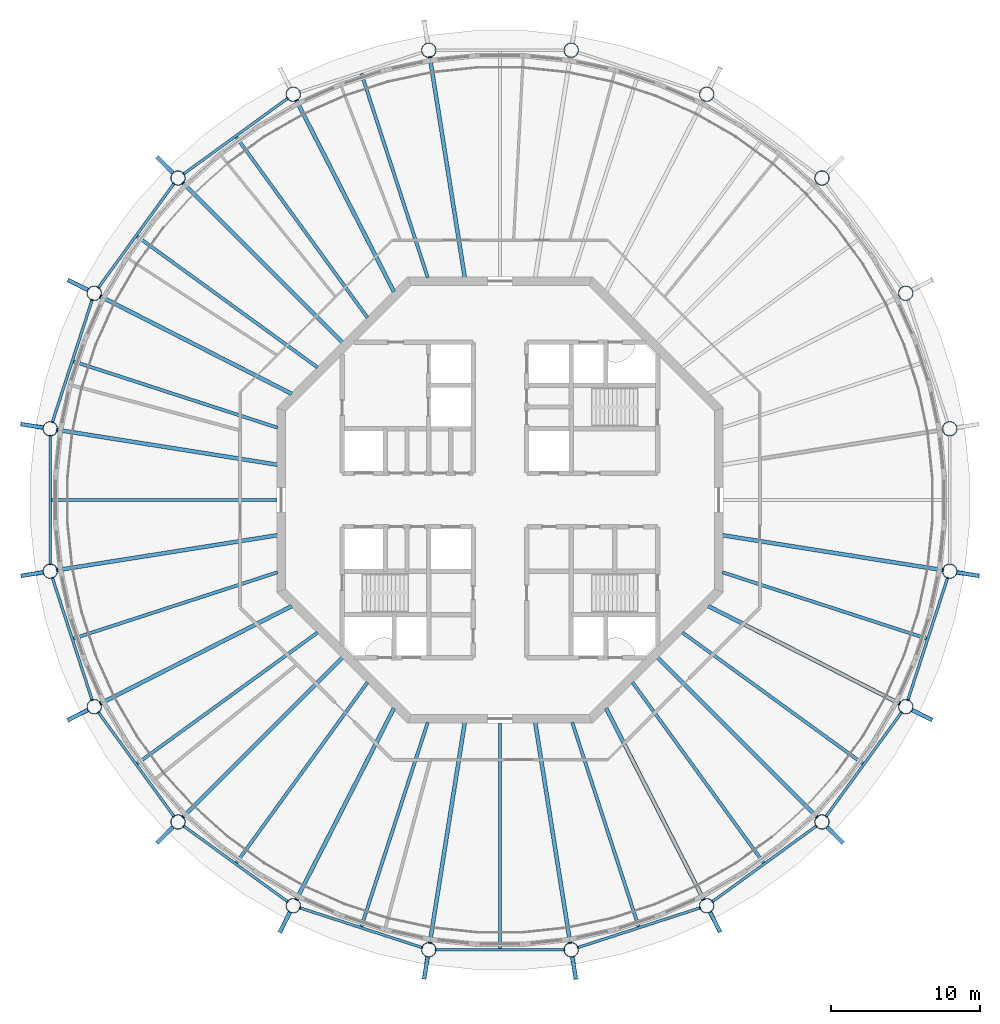
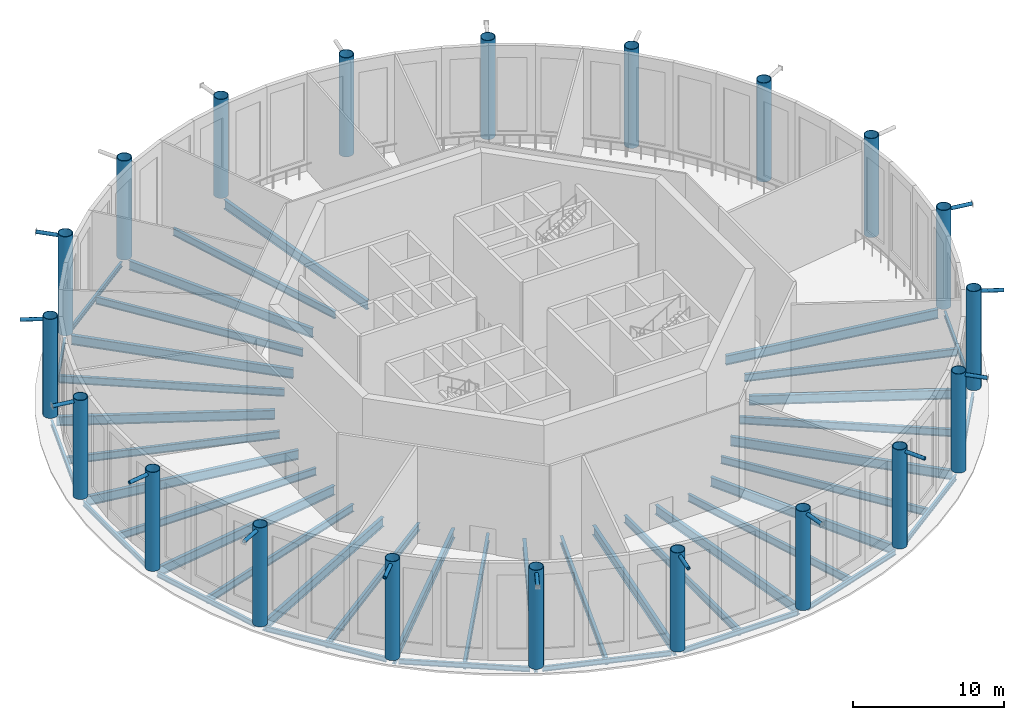
# One storey, part 1 of 17: 42 beams, 20 columns, 13 members.
"""IFC4 building model written with IfcOpenShell, lengths in metres."""

from ifc_helpers import new_model, si_unit, direction, frame, origin, origin_2d, place, context, subcontext, project, spatial, circle, hollow_circle, i_section, extrude, material, material_profile, profile_set, type_object, element, save


model = new_model("IFC4")

# Units and contexts
model_context = context("Model", 3, precision=1e-05, world=origin(), true_north=direction((0.0, 1.0)))
body_context = subcontext(model_context, "Body", "Model", "MODEL_VIEW")
ifc_project = project(units=[si_unit("LENGTHUNIT", "METRE"), si_unit("AREAUNIT", "SQUARE_METRE"), si_unit("VOLUMEUNIT", "CUBIC_METRE"), si_unit("PLANEANGLEUNIT", "RADIAN"), si_unit("MASSUNIT", "GRAM", prefix="KILO")], contexts=[model_context])

# Site, building, storey
site_placement = place(None, origin())
site = spatial("IfcSite", under=ifc_project, at=site_placement, CompositionType="ELEMENT")
building_placement = place(site_placement, origin())
building = spatial("IfcBuilding", under=site, at=building_placement, Name="Entoto Ring Tower", CompositionType="ELEMENT")
storey_placement = place(building_placement, frame((0.0, 0.0, 407.0)))
storey = spatial("IfcBuildingStorey", under=building, at=storey_placement, Name="L93", CompositionType="ELEMENT", Elevation=407.0)

# Columns
ifc_material_1 = material(Name="Steel S355", Category="steel")
ifc_material_profile_1 = material_profile(ifc_material_1, hollow_circle(Radius=0.5, WallThickness=0.044921875, at=origin_2d()), Name="CHS 1000 x 45")
ifc_material_2 = material(Name="Concrete C60/75", Category="concrete")
ifc_material_profile_2 = material_profile(ifc_material_2, circle(Radius=0.455078125, at=origin_2d()), Name="Concrete C60/75 infill")
ifc_profile_set_1 = profile_set([ifc_material_profile_1, ifc_material_profile_2], Name="Steel S355")
column_type = type_object("IfcColumnType", Name="Ring column 1000 x 45 concrete-filled tube", PredefinedType="COLUMN", material=ifc_profile_set_1)
for number, where, z_axis, x_axis, name in (
    (1, (120.22314453125, 84.786865234375, 0.0), (0.0, 0.0, 1.0), (1.0, 0.0, 0.0), "RC6B R01"),
    (2, (117.264892578125, 93.89208984375, 0.0), (0.0, 0.0, 1.0), (1.0, 0.0, 0.0), "RC6B R02"),
    (3, (111.637451171875, 101.637451171875, 0.0), (0.0, 0.0, 1.0), (1.0, 0.0, 0.0), "RC6B R03"),
    (4, (103.89208984375, 107.264892578125, 0.0), (0.0, 0.0, 1.0), (1.0, 0.0, 0.0), "RC6B R04"),
    (5, (94.786865234375, 110.22314453125, 0.0), (0.0, 0.0, 1.0), (1.0, 0.0, 0.0), "RC6B R05"),
    (6, (85.213134765625, 110.22314453125, 0.0), (0.0, 0.0, 1.0), (1.0, 0.0, 0.0), "RC6B R06"),
    (7, (76.10791015625, 107.264892578125, 0.0), (0.0, 0.0, 1.0), (1.0, 0.0, 0.0), "RC6B R07"),
    (8, (68.362548828125, 101.637451171875, 0.0), (0.0, 0.0, 1.0), (1.0, 0.0, 0.0), "RC6B R08"),
    (9, (62.735107421875, 93.89208984375, 0.0), (0.0, 0.0, 1.0), (1.0, 0.0, 0.0), "RC6B R09"),
    (10, (59.77685546875, 84.786865234375, 0.0), (0.0, 0.0, 1.0), (1.0, 0.0, 0.0), "RC6B R10"),
    (11, (59.77685546875, 75.213134765625, 0.0), (0.0, 0.0, 1.0), (1.0, 0.0, 0.0), "RC6B R11"),
    (12, (62.735107421875, 66.10791015625, 0.0), (0.0, 0.0, 1.0), (1.0, 0.0, 0.0), "RC6B R12"),
    (13, (68.362548828125, 58.362548828125, 0.0), (0.0, 0.0, 1.0), (1.0, 0.0, 0.0), "RC6B R13"),
    (14, (76.10791015625, 52.735107421875, 0.0), (0.0, 0.0, 1.0), (1.0, 0.0, 0.0), "RC6B R14"),
    (15, (85.213134765625, 49.77685546875, 0.0), (0.0, 0.0, 1.0), (1.0, 0.0, 0.0), "RC6B R15"),
    (16, (94.786865234375, 49.77685546875, 0.0), (0.0, 0.0, 1.0), (1.0, 0.0, 0.0), "RC6B R16"),
    (17, (103.89208984375, 52.735107421875, 0.0), (0.0, 0.0, 1.0), (1.0, 0.0, 0.0), "RC6B R17"),
    (18, (111.637451171875, 58.362548828125, 0.0), (0.0, 0.0, 1.0), (1.0, 0.0, 0.0), "RC6B R18"),
    (19, (117.264892578125, 66.10791015625, 0.0), (0.0, 0.0, 1.0), (1.0, 0.0, 0.0), "RC6B R19"),
    (20, (120.22314453125, 75.213134765625, 0.0), (0.0, 0.0, 1.0), (1.0, 0.0, 0.0), "RC6B R20"),
):
    element("IfcColumn", number, at=place(storey_placement, frame(where, z_axis=z_axis, x_axis=x_axis)), inside=storey, type_object=column_type, Name=name, PredefinedType="COLUMN", context=body_context, shape_type="SweptSolid", body=[
        extrude(hollow_circle(Radius=0.5, WallThickness=0.044921875, at=origin_2d()), origin(), (0.0, 0.0, 1.0), 8.0),
    ])

# Members
ifc_material_3 = material(Name="Steel S355", Category="steel")
ifc_material_profile_3 = material_profile(ifc_material_3, hollow_circle(Radius=0.136474609375, WallThickness=0.012451171875, at=origin_2d()), Name="CHS 273 x 12.5")
ifc_material_4 = material(Name="Concrete C60/75", Category="concrete")
ifc_material_profile_4 = material_profile(ifc_material_4, circle(Radius=0.1240234375, at=origin_2d()), Name="Concrete C60/75 infill")
ifc_profile_set_2 = profile_set([ifc_material_profile_3, ifc_material_profile_4], Name="Steel S355")
member_type = type_object("IfcMemberType", Name="Diagrid node strut 273 x 12.5", PredefinedType="STRUT", material=ifc_profile_set_2)
member_1_placement = place(storey_placement, frame((68.03662109375, 101.96337890625, 7.71337890625), z_axis=(-0.707106781187, 0.707106781187, 0.0), x_axis=(-0.707106781187, -0.707106781187, 0.0)))
element("IfcMember", 21, at=member_1_placement, inside=storey, type_object=member_type, Name="DS2 strut ring 30 08", PredefinedType="STRUT", context=body_context, shape_type="SweptSolid", body=[
    extrude(hollow_circle(Radius=0.136474609375, WallThickness=0.012451171875, at=origin_2d()), origin(), (0.0, 0.0, 1.0), 1.539306640625),
])
member_2_placement = place(storey_placement, frame((62.324462890625, 94.101318359375, 7.71337890625), z_axis=(-0.891006809714, 0.453989939363, 0.0), x_axis=(-0.453989939363, -0.891006809714, 0.0)))
element("IfcMember", 22, at=member_2_placement, inside=storey, type_object=member_type, Name="DS2 strut ring 30 09", PredefinedType="STRUT", context=body_context, shape_type="SweptSolid", body=[
    extrude(hollow_circle(Radius=0.136474609375, WallThickness=0.012451171875, at=origin_2d()), origin(), (0.0, 0.0, 1.0), 1.5390625),
])
for number, where, z_axis, x_axis, name in (
    (23, (59.321533203125, 84.85888671875, 7.71337890625), (-0.987670196765, 0.156548977711, 0.0), (-0.156548977711, -0.987670196765, 0.0), "DS2 strut ring 30 10"),
    (24, (59.321533203125, 75.14111328125, 7.71337890625), (-0.987670196765, -0.156548977711, 0.0), (0.156548977711, -0.987670196765, 0.0), "DS2 strut ring 30 11"),
):
    element("IfcMember", number, at=place(storey_placement, frame(where, z_axis=z_axis, x_axis=x_axis)), inside=storey, type_object=member_type, Name=name, PredefinedType="STRUT", context=body_context, shape_type="SweptSolid", body=[
        extrude(hollow_circle(Radius=0.136474609375, WallThickness=0.012451171875, at=origin_2d()), origin(), (0.0, 0.0, 1.0), 1.539306640625),
    ])
member_3_placement = place(storey_placement, frame((62.324462890625, 65.898681640625, 7.71337890625), z_axis=(-0.891006809714, -0.453989939363, 0.0), x_axis=(0.453989939363, -0.891006809714, 0.0)))
element("IfcMember", 25, at=member_3_placement, inside=storey, type_object=member_type, Name="DS2 strut ring 30 12", PredefinedType="STRUT", context=body_context, shape_type="SweptSolid", body=[
    extrude(hollow_circle(Radius=0.136474609375, WallThickness=0.012451171875, at=origin_2d()), origin(), (0.0, 0.0, 1.0), 1.5390625),
])
member_4_placement = place(storey_placement, frame((68.03662109375, 58.03662109375, 7.71337890625), z_axis=(-0.707106781187, -0.707106781187, 0.0), x_axis=(0.707106781187, -0.707106781187, 0.0)))
element("IfcMember", 26, at=member_4_placement, inside=storey, type_object=member_type, Name="DS2 strut ring 30 13", PredefinedType="STRUT", context=body_context, shape_type="SweptSolid", body=[
    extrude(hollow_circle(Radius=0.136474609375, WallThickness=0.012451171875, at=origin_2d()), origin(), (0.0, 0.0, 1.0), 1.539306640625),
])
member_5_placement = place(storey_placement, frame((75.898681640625, 52.324462890625, 7.71337890625), z_axis=(-0.453989939363, -0.891006809714, 0.0), x_axis=(0.891006809714, -0.453989939363, 0.0)))
element("IfcMember", 27, at=member_5_placement, inside=storey, type_object=member_type, Name="DS2 strut ring 30 14", PredefinedType="STRUT", context=body_context, shape_type="SweptSolid", body=[
    extrude(hollow_circle(Radius=0.136474609375, WallThickness=0.012451171875, at=origin_2d()), origin(), (0.0, 0.0, 1.0), 1.5390625),
])
for number, where, z_axis, x_axis, name in (
    (28, (85.14111328125, 49.321533203125, 7.71337890625), (-0.156548977711, -0.987670196765, 0.0), (0.987670196765, -0.156548977711, 0.0), "DS2 strut ring 30 15"),
    (29, (94.85888671875, 49.321533203125, 7.71337890625), (0.156548977711, -0.987670196765, 0.0), (0.987670196765, 0.156548977711, 0.0), "DS2 strut ring 30 16"),
):
    element("IfcMember", number, at=place(storey_placement, frame(where, z_axis=z_axis, x_axis=x_axis)), inside=storey, type_object=member_type, Name=name, PredefinedType="STRUT", context=body_context, shape_type="SweptSolid", body=[
        extrude(hollow_circle(Radius=0.136474609375, WallThickness=0.012451171875, at=origin_2d()), origin(), (0.0, 0.0, 1.0), 1.539306640625),
    ])
member_6_placement = place(storey_placement, frame((104.101318359375, 52.324462890625, 7.71337890625), z_axis=(0.453989939363, -0.891006809714, 0.0), x_axis=(0.891006809714, 0.453989939363, 0.0)))
element("IfcMember", 30, at=member_6_placement, inside=storey, type_object=member_type, Name="DS2 strut ring 30 17", PredefinedType="STRUT", context=body_context, shape_type="SweptSolid", body=[
    extrude(hollow_circle(Radius=0.136474609375, WallThickness=0.012451171875, at=origin_2d()), origin(), (0.0, 0.0, 1.0), 1.5390625),
])
member_7_placement = place(storey_placement, frame((111.96337890625, 58.03662109375, 7.71337890625), z_axis=(0.707106781187, -0.707106781187, 0.0), x_axis=(0.707106781187, 0.707106781187, 0.0)))
element("IfcMember", 31, at=member_7_placement, inside=storey, type_object=member_type, Name="DS2 strut ring 30 18", PredefinedType="STRUT", context=body_context, shape_type="SweptSolid", body=[
    extrude(hollow_circle(Radius=0.136474609375, WallThickness=0.012451171875, at=origin_2d()), origin(), (0.0, 0.0, 1.0), 1.539306640625),
])
member_8_placement = place(storey_placement, frame((117.675537109375, 65.898681640625, 7.71337890625), z_axis=(0.891006809714, -0.453989939363, 0.0), x_axis=(0.453989939363, 0.891006809714, 0.0)))
element("IfcMember", 32, at=member_8_placement, inside=storey, type_object=member_type, Name="DS2 strut ring 30 19", PredefinedType="STRUT", context=body_context, shape_type="SweptSolid", body=[
    extrude(hollow_circle(Radius=0.136474609375, WallThickness=0.012451171875, at=origin_2d()), origin(), (0.0, 0.0, 1.0), 1.5390625),
])
member_9_placement = place(storey_placement, frame((120.678466796875, 75.14111328125, 7.71337890625), z_axis=(0.987670196765, -0.156548977711, 0.0), x_axis=(0.156548977711, 0.987670196765, 0.0)))
element("IfcMember", 33, at=member_9_placement, inside=storey, type_object=member_type, Name="DS2 strut ring 30 20", PredefinedType="STRUT", context=body_context, shape_type="SweptSolid", body=[
    extrude(hollow_circle(Radius=0.136474609375, WallThickness=0.012451171875, at=origin_2d()), origin(), (0.0, 0.0, 1.0), 1.539306640625),
])

# Beams
ifc_material_5 = material(Name="Steel S355", Category="steel")
ifc_material_profile_5 = material_profile(ifc_material_5, i_section(OverallWidth=0.179931640625, OverallDepth=0.39990234375, WebThickness=0.008544921875, FlangeThickness=0.013427734375, FilletRadius=0.02099609375, at=origin_2d()), Name="IPE 400")
ifc_profile_set_3 = profile_set([ifc_material_profile_5], Name="Steel S355")
beam_type_1 = type_object("IfcBeamType", Name="Edge beam IPE 400", PredefinedType="SPANDREL", material=ifc_profile_set_3)
for number, where, z_axis, x_axis, name in (
    (34, (75.767333984375, 107.017333984375, -0.35009765625), (-0.80901045354, -0.587794254874, 0.0), (0.587794254874, -0.80901045354, 0.0), "Edge beam L93 07"),
    (35, (68.115234375, 101.296875, -0.35009765625), (-0.587794254874, -0.80901045354, 0.0), (0.80901045354, -0.587794254874, 0.0), "Edge beam L93 08"),
):
    element("IfcBeam", number, at=place(storey_placement, frame(where, z_axis=z_axis, x_axis=x_axis)), inside=storey, type_object=beam_type_1, Name=name, PredefinedType="SPANDREL", context=body_context, shape_type="SweptSolid", body=[
        extrude(i_section(OverallWidth=0.179931640625, OverallDepth=0.39990234375, WebThickness=0.008544921875, FlangeThickness=0.013427734375, FilletRadius=0.02099609375, at=origin_2d()), origin(), (0.0, 0.0, 1.0), 8.73193359375),
    ])
beam_1_placement = place(storey_placement, frame((62.605224609375, 93.491943359375, -0.35009765625), z_axis=(-0.309030438368, -0.951052147972, 0.0), x_axis=(0.951052147972, -0.309030438368, 0.0)))
element("IfcBeam", 36, at=beam_1_placement, inside=storey, type_object=beam_type_1, Name="Edge beam L93 09", PredefinedType="SPANDREL", context=body_context, shape_type="SweptSolid", body=[
    extrude(i_section(OverallWidth=0.179931640625, OverallDepth=0.39990234375, WebThickness=0.008544921875, FlangeThickness=0.013427734375, FilletRadius=0.02099609375, at=origin_2d()), origin(), (0.0, 0.0, 1.0), 8.732177734375),
])
beam_2_placement = place(storey_placement, frame((59.77685546875, 84.365966796875, -0.35009765625), z_axis=(0.0, -1.0, 0.0), x_axis=(1.0, 0.0, 0.0)))
element("IfcBeam", 37, at=beam_2_placement, inside=storey, type_object=beam_type_1, Name="Edge beam L93 10", PredefinedType="SPANDREL", context=body_context, shape_type="SweptSolid", body=[
    extrude(i_section(OverallWidth=0.179931640625, OverallDepth=0.39990234375, WebThickness=0.008544921875, FlangeThickness=0.013427734375, FilletRadius=0.02099609375, at=origin_2d()), origin(), (0.0, 0.0, 1.0), 8.73193359375),
])
beam_3_placement = place(storey_placement, frame((59.90673828125, 74.812744140625, -0.35009765625), z_axis=(0.309030438368, -0.951052147972, 0.0), x_axis=(0.951052147972, 0.309030438368, 0.0)))
element("IfcBeam", 38, at=beam_3_placement, inside=storey, type_object=beam_type_1, Name="Edge beam L93 11", PredefinedType="SPANDREL", context=body_context, shape_type="SweptSolid", body=[
    extrude(i_section(OverallWidth=0.179931640625, OverallDepth=0.39990234375, WebThickness=0.008544921875, FlangeThickness=0.013427734375, FilletRadius=0.02099609375, at=origin_2d()), origin(), (0.0, 0.0, 1.0), 8.732177734375),
])
for number, where, z_axis, x_axis, name in (
    (39, (62.982666015625, 65.767333984375, -0.35009765625), (0.587794254874, -0.80901045354, 0.0), (0.80901045354, 0.587794254874, 0.0), "Edge beam L93 12"),
    (40, (68.703125, 58.115234375, -0.35009765625), (0.80901045354, -0.587794254874, 0.0), (0.587794254874, 0.80901045354, 0.0), "Edge beam L93 13"),
):
    element("IfcBeam", number, at=place(storey_placement, frame(where, z_axis=z_axis, x_axis=x_axis)), inside=storey, type_object=beam_type_1, Name=name, PredefinedType="SPANDREL", context=body_context, shape_type="SweptSolid", body=[
        extrude(i_section(OverallWidth=0.179931640625, OverallDepth=0.39990234375, WebThickness=0.008544921875, FlangeThickness=0.013427734375, FilletRadius=0.02099609375, at=origin_2d()), origin(), (0.0, 0.0, 1.0), 8.73193359375),
    ])
beam_4_placement = place(storey_placement, frame((76.508056640625, 52.605224609375, -0.35009765625), z_axis=(0.951052147972, -0.309030438368, 0.0), x_axis=(0.309030438368, 0.951052147972, 0.0)))
element("IfcBeam", 41, at=beam_4_placement, inside=storey, type_object=beam_type_1, Name="Edge beam L93 14", PredefinedType="SPANDREL", context=body_context, shape_type="SweptSolid", body=[
    extrude(i_section(OverallWidth=0.179931640625, OverallDepth=0.39990234375, WebThickness=0.008544921875, FlangeThickness=0.013427734375, FilletRadius=0.02099609375, at=origin_2d()), origin(), (0.0, 0.0, 1.0), 8.732177734375),
])
beam_5_placement = place(storey_placement, frame((85.634033203125, 49.77685546875, -0.35009765625), z_axis=(1.0, 0.0, 0.0), x_axis=(0.0, 1.0, 0.0)))
element("IfcBeam", 42, at=beam_5_placement, inside=storey, type_object=beam_type_1, Name="Edge beam L93 15", PredefinedType="SPANDREL", context=body_context, shape_type="SweptSolid", body=[
    extrude(i_section(OverallWidth=0.179931640625, OverallDepth=0.39990234375, WebThickness=0.008544921875, FlangeThickness=0.013427734375, FilletRadius=0.02099609375, at=origin_2d()), origin(), (0.0, 0.0, 1.0), 8.73193359375),
])
beam_6_placement = place(storey_placement, frame((95.187255859375, 49.90673828125, -0.35009765625), z_axis=(0.951052147972, 0.309030438368, 0.0), x_axis=(-0.309030438368, 0.951052147972, 0.0)))
element("IfcBeam", 43, at=beam_6_placement, inside=storey, type_object=beam_type_1, Name="Edge beam L93 16", PredefinedType="SPANDREL", context=body_context, shape_type="SweptSolid", body=[
    extrude(i_section(OverallWidth=0.179931640625, OverallDepth=0.39990234375, WebThickness=0.008544921875, FlangeThickness=0.013427734375, FilletRadius=0.02099609375, at=origin_2d()), origin(), (0.0, 0.0, 1.0), 8.732177734375),
])
for number, where, z_axis, x_axis, name in (
    (44, (104.232666015625, 52.982666015625, -0.35009765625), (0.80901045354, 0.587794254874, 0.0), (-0.587794254874, 0.80901045354, 0.0), "Edge beam L93 17"),
    (45, (111.884765625, 58.703125, -0.35009765625), (0.587794254874, 0.80901045354, 0.0), (-0.80901045354, 0.587794254874, 0.0), "Edge beam L93 18"),
):
    element("IfcBeam", number, at=place(storey_placement, frame(where, z_axis=z_axis, x_axis=x_axis)), inside=storey, type_object=beam_type_1, Name=name, PredefinedType="SPANDREL", context=body_context, shape_type="SweptSolid", body=[
        extrude(i_section(OverallWidth=0.179931640625, OverallDepth=0.39990234375, WebThickness=0.008544921875, FlangeThickness=0.013427734375, FilletRadius=0.02099609375, at=origin_2d()), origin(), (0.0, 0.0, 1.0), 8.73193359375),
    ])
beam_7_placement = place(storey_placement, frame((117.394775390625, 66.508056640625, -0.35009765625), z_axis=(0.309030438368, 0.951052147972, 0.0), x_axis=(-0.951052147972, 0.309030438368, 0.0)))
element("IfcBeam", 46, at=beam_7_placement, inside=storey, type_object=beam_type_1, Name="Edge beam L93 19", PredefinedType="SPANDREL", context=body_context, shape_type="SweptSolid", body=[
    extrude(i_section(OverallWidth=0.179931640625, OverallDepth=0.39990234375, WebThickness=0.008544921875, FlangeThickness=0.013427734375, FilletRadius=0.02099609375, at=origin_2d()), origin(), (0.0, 0.0, 1.0), 8.732177734375),
])
ifc_material_6 = material(Name="Steel S355", Category="steel")
ifc_material_profile_6 = material_profile(ifc_material_6, i_section(OverallWidth=0.262939453125, OverallDepth=0.7529296875, WebThickness=0.011474609375, FlangeThickness=0.01708984375, FilletRadius=0.01708984375, at=origin_2d()), Name="IPE 750 x 137")
ifc_profile_set_4 = profile_set([ifc_material_profile_6], Name="Steel S355")
beam_type_2 = type_object("IfcBeamType", Name="Primary floor beam IPE 750 x 137", PredefinedType="BEAM", material=ifc_profile_set_4)
beam_8_placement = place(storey_placement, frame((87.630615234375, 94.959716796875, -0.526611328125), z_axis=(-0.156432586517, 0.987688638122, 0.0), x_axis=(-0.987688638122, -0.156432586517, 0.0)))
element("IfcBeam", 47, at=beam_8_placement, inside=storey, type_object=beam_type_2, Name="Primary L93 R06", PredefinedType="BEAM", context=body_context, shape_type="SweptSolid", body=[
    extrude(i_section(OverallWidth=0.262939453125, OverallDepth=0.7529296875, WebThickness=0.011474609375, FlangeThickness=0.01708984375, FilletRadius=0.01708984375, at=origin_2d()), origin(), (0.0, 0.0, 1.0), 15.04345703125),
])
beam_9_placement = place(storey_placement, frame((82.8681640625, 93.9970703125, -0.526611328125), z_axis=(-0.453991952968, 0.89100578373, 0.0), x_axis=(-0.89100578373, -0.453991952968, 0.0)))
element("IfcBeam", 48, at=beam_9_placement, inside=storey, type_object=beam_type_2, Name="Primary L93 R07", PredefinedType="BEAM", context=body_context, shape_type="SweptSolid", body=[
    extrude(i_section(OverallWidth=0.262939453125, OverallDepth=0.7529296875, WebThickness=0.011474609375, FlangeThickness=0.01708984375, FilletRadius=0.01708984375, at=origin_2d()), origin(), (0.0, 0.0, 1.0), 14.48046875),
])
beam_10_placement = place(storey_placement, frame((79.407470703125, 90.592529296875, -0.526611328125), z_axis=(-0.707106781187, 0.707106781187, 0.0), x_axis=(-0.707106781187, -0.707106781187, 0.0)))
element("IfcBeam", 49, at=beam_10_placement, inside=storey, type_object=beam_type_2, Name="Primary L93 R08", PredefinedType="BEAM", context=body_context, shape_type="SweptSolid", body=[
    extrude(i_section(OverallWidth=0.262939453125, OverallDepth=0.7529296875, WebThickness=0.011474609375, FlangeThickness=0.01708984375, FilletRadius=0.01708984375, at=origin_2d()), origin(), (0.0, 0.0, 1.0), 15.209716796875),
])
beam_11_placement = place(storey_placement, frame((76.0029296875, 87.1318359375, -0.526611328125), z_axis=(-0.89100578373, 0.453991952968, 0.0), x_axis=(-0.453991952968, -0.89100578373, 0.0)))
element("IfcBeam", 50, at=beam_11_placement, inside=storey, type_object=beam_type_2, Name="Primary L93 R09", PredefinedType="BEAM", context=body_context, shape_type="SweptSolid", body=[
    extrude(i_section(OverallWidth=0.262939453125, OverallDepth=0.7529296875, WebThickness=0.011474609375, FlangeThickness=0.01708984375, FilletRadius=0.01708984375, at=origin_2d()), origin(), (0.0, 0.0, 1.0), 14.48046875),
])
for number, where, z_axis, x_axis, name in (
    (51, (75.040283203125, 82.369384765625, -0.526611328125), (-0.987688638122, 0.156432586517, 0.0), (-0.156432586517, -0.987688638122, 0.0), "Primary L93 R10"),
    (52, (75.040283203125, 77.630615234375, -0.526611328125), (-0.987688638122, -0.156432586517, 0.0), (0.156432586517, -0.987688638122, 0.0), "Primary L93 R11"),
):
    element("IfcBeam", number, at=place(storey_placement, frame(where, z_axis=z_axis, x_axis=x_axis)), inside=storey, type_object=beam_type_2, Name=name, PredefinedType="BEAM", context=body_context, shape_type="SweptSolid", body=[
        extrude(i_section(OverallWidth=0.262939453125, OverallDepth=0.7529296875, WebThickness=0.011474609375, FlangeThickness=0.01708984375, FilletRadius=0.01708984375, at=origin_2d()), origin(), (0.0, 0.0, 1.0), 15.04345703125),
    ])
beam_12_placement = place(storey_placement, frame((76.0029296875, 72.8681640625, -0.526611328125), z_axis=(-0.89100578373, -0.453991952968, 0.0), x_axis=(0.453991952968, -0.89100578373, 0.0)))
element("IfcBeam", 53, at=beam_12_placement, inside=storey, type_object=beam_type_2, Name="Primary L93 R12", PredefinedType="BEAM", context=body_context, shape_type="SweptSolid", body=[
    extrude(i_section(OverallWidth=0.262939453125, OverallDepth=0.7529296875, WebThickness=0.011474609375, FlangeThickness=0.01708984375, FilletRadius=0.01708984375, at=origin_2d()), origin(), (0.0, 0.0, 1.0), 14.48046875),
])
beam_13_placement = place(storey_placement, frame((79.407470703125, 69.407470703125, -0.526611328125), z_axis=(-0.707106781187, -0.707106781187, 0.0), x_axis=(0.707106781187, -0.707106781187, 0.0)))
element("IfcBeam", 54, at=beam_13_placement, inside=storey, type_object=beam_type_2, Name="Primary L93 R13", PredefinedType="BEAM", context=body_context, shape_type="SweptSolid", body=[
    extrude(i_section(OverallWidth=0.262939453125, OverallDepth=0.7529296875, WebThickness=0.011474609375, FlangeThickness=0.01708984375, FilletRadius=0.01708984375, at=origin_2d()), origin(), (0.0, 0.0, 1.0), 15.209716796875),
])
beam_14_placement = place(storey_placement, frame((82.8681640625, 66.0029296875, -0.526611328125), z_axis=(-0.453991952968, -0.89100578373, 0.0), x_axis=(0.89100578373, -0.453991952968, 0.0)))
element("IfcBeam", 55, at=beam_14_placement, inside=storey, type_object=beam_type_2, Name="Primary L93 R14", PredefinedType="BEAM", context=body_context, shape_type="SweptSolid", body=[
    extrude(i_section(OverallWidth=0.262939453125, OverallDepth=0.7529296875, WebThickness=0.011474609375, FlangeThickness=0.01708984375, FilletRadius=0.01708984375, at=origin_2d()), origin(), (0.0, 0.0, 1.0), 14.48046875),
])
for number, where, z_axis, x_axis, name in (
    (56, (87.630615234375, 65.040283203125, -0.526611328125), (-0.156432586517, -0.987688638122, 0.0), (0.987688638122, -0.156432586517, 0.0), "Primary L93 R15"),
    (57, (92.369384765625, 65.040283203125, -0.526611328125), (0.156432586517, -0.987688638122, 0.0), (0.987688638122, 0.156432586517, 0.0), "Primary L93 R16"),
):
    element("IfcBeam", number, at=place(storey_placement, frame(where, z_axis=z_axis, x_axis=x_axis)), inside=storey, type_object=beam_type_2, Name=name, PredefinedType="BEAM", context=body_context, shape_type="SweptSolid", body=[
        extrude(i_section(OverallWidth=0.262939453125, OverallDepth=0.7529296875, WebThickness=0.011474609375, FlangeThickness=0.01708984375, FilletRadius=0.01708984375, at=origin_2d()), origin(), (0.0, 0.0, 1.0), 15.04345703125),
    ])
beam_15_placement = place(storey_placement, frame((97.1318359375, 66.0029296875, -0.526611328125), z_axis=(0.453991952968, -0.89100578373, 0.0), x_axis=(0.89100578373, 0.453991952968, 0.0)))
element("IfcBeam", 58, at=beam_15_placement, inside=storey, type_object=beam_type_2, Name="Primary L93 R17", PredefinedType="BEAM", context=body_context, shape_type="SweptSolid", body=[
    extrude(i_section(OverallWidth=0.262939453125, OverallDepth=0.7529296875, WebThickness=0.011474609375, FlangeThickness=0.01708984375, FilletRadius=0.01708984375, at=origin_2d()), origin(), (0.0, 0.0, 1.0), 14.48046875),
])
beam_16_placement = place(storey_placement, frame((100.592529296875, 69.407470703125, -0.526611328125), z_axis=(0.707106781187, -0.707106781187, 0.0), x_axis=(0.707106781187, 0.707106781187, 0.0)))
element("IfcBeam", 59, at=beam_16_placement, inside=storey, type_object=beam_type_2, Name="Primary L93 R18", PredefinedType="BEAM", context=body_context, shape_type="SweptSolid", body=[
    extrude(i_section(OverallWidth=0.262939453125, OverallDepth=0.7529296875, WebThickness=0.011474609375, FlangeThickness=0.01708984375, FilletRadius=0.01708984375, at=origin_2d()), origin(), (0.0, 0.0, 1.0), 15.209716796875),
])
beam_17_placement = place(storey_placement, frame((103.9970703125, 72.8681640625, -0.526611328125), z_axis=(0.89100578373, -0.453991952968, 0.0), x_axis=(0.453991952968, 0.89100578373, 0.0)))
element("IfcBeam", 60, at=beam_17_placement, inside=storey, type_object=beam_type_2, Name="Primary L93 R19", PredefinedType="BEAM", context=body_context, shape_type="SweptSolid", body=[
    extrude(i_section(OverallWidth=0.262939453125, OverallDepth=0.7529296875, WebThickness=0.011474609375, FlangeThickness=0.01708984375, FilletRadius=0.01708984375, at=origin_2d()), origin(), (0.0, 0.0, 1.0), 14.48046875),
])
beam_18_placement = place(storey_placement, frame((104.959716796875, 77.630615234375, -0.526611328125), z_axis=(0.987688638122, -0.156432586517, 0.0), x_axis=(0.156432586517, 0.987688638122, 0.0)))
element("IfcBeam", 61, at=beam_18_placement, inside=storey, type_object=beam_type_2, Name="Primary L93 R20", PredefinedType="BEAM", context=body_context, shape_type="SweptSolid", body=[
    extrude(i_section(OverallWidth=0.262939453125, OverallDepth=0.7529296875, WebThickness=0.011474609375, FlangeThickness=0.01708984375, FilletRadius=0.01708984375, at=origin_2d()), origin(), (0.0, 0.0, 1.0), 15.04345703125),
])
ifc_material_7 = material(Name="Steel S355", Category="steel")
ifc_material_profile_7 = material_profile(ifc_material_7, i_section(OverallWidth=0.219970703125, OverallDepth=0.60009765625, WebThickness=0.011962890625, FlangeThickness=0.01904296875, FilletRadius=0.02392578125, at=origin_2d()), Name="IPE 600")
ifc_profile_set_5 = profile_set([ifc_material_profile_7], Name="Steel S355")
beam_type_3 = type_object("IfcBeamType", Name="Secondary floor beam IPE 600", PredefinedType="JOIST", material=ifc_profile_set_5)
beam_19_placement = place(storey_placement, frame((85.143310546875, 94.947021484375, -0.449951171875), z_axis=(-0.309014850288, 0.951057212949, 0.0), x_axis=(-0.951057212949, -0.309014850288, 0.0)))
element("IfcBeam", 62, at=beam_19_placement, inside=storey, type_object=beam_type_3, Name="Secondary beam L93 06", PredefinedType="JOIST", context=body_context, shape_type="SweptSolid", body=[
    extrude(i_section(OverallWidth=0.219970703125, OverallDepth=0.60009765625, WebThickness=0.011962890625, FlangeThickness=0.01904296875, FilletRadius=0.02392578125, at=origin_2d()), origin(), (0.0, 0.0, 1.0), 14.4169921875),
])
for number, where, z_axis, x_axis, name in (
    (63, (81.09521484375, 92.25634765625, -0.449951171875), (-0.587782163866, 0.809019238239, 0.0), (-0.809019238239, -0.587782163866, 0.0), "Secondary beam L93 07"),
    (64, (77.74365234375, 88.90478515625, -0.449951171875), (-0.809019238239, 0.587782163866, 0.0), (-0.587782163866, -0.809019238239, 0.0), "Secondary beam L93 08"),
):
    element("IfcBeam", number, at=place(storey_placement, frame(where, z_axis=z_axis, x_axis=x_axis)), inside=storey, type_object=beam_type_3, Name=name, PredefinedType="JOIST", context=body_context, shape_type="SweptSolid", body=[
        extrude(i_section(OverallWidth=0.219970703125, OverallDepth=0.60009765625, WebThickness=0.011962890625, FlangeThickness=0.01904296875, FilletRadius=0.02392578125, at=origin_2d()), origin(), (0.0, 0.0, 1.0), 14.983642578125),
    ])
beam_20_placement = place(storey_placement, frame((75.052978515625, 84.856689453125, -0.449951171875), z_axis=(-0.951057212949, 0.309014850288, 0.0), x_axis=(-0.309014850288, -0.951057212949, 0.0)))
element("IfcBeam", 65, at=beam_20_placement, inside=storey, type_object=beam_type_3, Name="Secondary beam L93 09", PredefinedType="JOIST", context=body_context, shape_type="SweptSolid", body=[
    extrude(i_section(OverallWidth=0.219970703125, OverallDepth=0.60009765625, WebThickness=0.011962890625, FlangeThickness=0.01904296875, FilletRadius=0.02392578125, at=origin_2d()), origin(), (0.0, 0.0, 1.0), 14.4169921875),
])
beam_21_placement = place(storey_placement, frame((75.02001953125, 80.0, -0.449951171875), z_axis=(-1.0, 0.0, 0.0), x_axis=(0.0, -1.0, 0.0)))
element("IfcBeam", 66, at=beam_21_placement, inside=storey, type_object=beam_type_3, Name="Secondary beam L93 10", PredefinedType="JOIST", context=body_context, shape_type="SweptSolid", body=[
    extrude(i_section(OverallWidth=0.219970703125, OverallDepth=0.60009765625, WebThickness=0.011962890625, FlangeThickness=0.01904296875, FilletRadius=0.02392578125, at=origin_2d()), origin(), (0.0, 0.0, 1.0), 15.1533203125),
])
beam_22_placement = place(storey_placement, frame((75.052978515625, 75.143310546875, -0.449951171875), z_axis=(-0.951057212949, -0.309014850288, 0.0), x_axis=(0.309014850288, -0.951057212949, 0.0)))
element("IfcBeam", 67, at=beam_22_placement, inside=storey, type_object=beam_type_3, Name="Secondary beam L93 11", PredefinedType="JOIST", context=body_context, shape_type="SweptSolid", body=[
    extrude(i_section(OverallWidth=0.219970703125, OverallDepth=0.60009765625, WebThickness=0.011962890625, FlangeThickness=0.01904296875, FilletRadius=0.02392578125, at=origin_2d()), origin(), (0.0, 0.0, 1.0), 14.4169921875),
])
for number, where, z_axis, x_axis, name in (
    (68, (77.74365234375, 71.09521484375, -0.449951171875), (-0.809019238239, -0.587782163866, 0.0), (0.587782163866, -0.809019238239, 0.0), "Secondary beam L93 12"),
    (69, (81.09521484375, 67.74365234375, -0.449951171875), (-0.587782163866, -0.809019238239, 0.0), (0.809019238239, -0.587782163866, 0.0), "Secondary beam L93 13"),
):
    element("IfcBeam", number, at=place(storey_placement, frame(where, z_axis=z_axis, x_axis=x_axis)), inside=storey, type_object=beam_type_3, Name=name, PredefinedType="JOIST", context=body_context, shape_type="SweptSolid", body=[
        extrude(i_section(OverallWidth=0.219970703125, OverallDepth=0.60009765625, WebThickness=0.011962890625, FlangeThickness=0.01904296875, FilletRadius=0.02392578125, at=origin_2d()), origin(), (0.0, 0.0, 1.0), 14.983642578125),
    ])
beam_23_placement = place(storey_placement, frame((85.143310546875, 65.052978515625, -0.449951171875), z_axis=(-0.309014850288, -0.951057212949, 0.0), x_axis=(0.951057212949, -0.309014850288, 0.0)))
element("IfcBeam", 70, at=beam_23_placement, inside=storey, type_object=beam_type_3, Name="Secondary beam L93 14", PredefinedType="JOIST", context=body_context, shape_type="SweptSolid", body=[
    extrude(i_section(OverallWidth=0.219970703125, OverallDepth=0.60009765625, WebThickness=0.011962890625, FlangeThickness=0.01904296875, FilletRadius=0.02392578125, at=origin_2d()), origin(), (0.0, 0.0, 1.0), 14.4169921875),
])
beam_24_placement = place(storey_placement, frame((90.0, 65.02001953125, -0.449951171875), z_axis=(0.0, -1.0, 0.0), x_axis=(1.0, 0.0, 0.0)))
element("IfcBeam", 71, at=beam_24_placement, inside=storey, type_object=beam_type_3, Name="Secondary beam L93 15", PredefinedType="JOIST", context=body_context, shape_type="SweptSolid", body=[
    extrude(i_section(OverallWidth=0.219970703125, OverallDepth=0.60009765625, WebThickness=0.011962890625, FlangeThickness=0.01904296875, FilletRadius=0.02392578125, at=origin_2d()), origin(), (0.0, 0.0, 1.0), 15.1533203125),
])
beam_25_placement = place(storey_placement, frame((94.856689453125, 65.052978515625, -0.449951171875), z_axis=(0.309014850288, -0.951057212949, 0.0), x_axis=(0.951057212949, 0.309014850288, 0.0)))
element("IfcBeam", 72, at=beam_25_placement, inside=storey, type_object=beam_type_3, Name="Secondary beam L93 16", PredefinedType="JOIST", context=body_context, shape_type="SweptSolid", body=[
    extrude(i_section(OverallWidth=0.219970703125, OverallDepth=0.60009765625, WebThickness=0.011962890625, FlangeThickness=0.01904296875, FilletRadius=0.02392578125, at=origin_2d()), origin(), (0.0, 0.0, 1.0), 14.4169921875),
])
for number, where, z_axis, x_axis, name in (
    (73, (98.90478515625, 67.74365234375, -0.449951171875), (0.587782163866, -0.809019238239, 0.0), (0.809019238239, 0.587782163866, 0.0), "Secondary beam L93 17"),
    (74, (102.25634765625, 71.09521484375, -0.449951171875), (0.809019238239, -0.587782163866, 0.0), (0.587782163866, 0.809019238239, 0.0), "Secondary beam L93 18"),
):
    element("IfcBeam", number, at=place(storey_placement, frame(where, z_axis=z_axis, x_axis=x_axis)), inside=storey, type_object=beam_type_3, Name=name, PredefinedType="JOIST", context=body_context, shape_type="SweptSolid", body=[
        extrude(i_section(OverallWidth=0.219970703125, OverallDepth=0.60009765625, WebThickness=0.011962890625, FlangeThickness=0.01904296875, FilletRadius=0.02392578125, at=origin_2d()), origin(), (0.0, 0.0, 1.0), 14.983642578125),
    ])
beam_26_placement = place(storey_placement, frame((104.947021484375, 75.143310546875, -0.449951171875), z_axis=(0.951057212949, -0.309014850288, 0.0), x_axis=(0.309014850288, 0.951057212949, 0.0)))
element("IfcBeam", 75, at=beam_26_placement, inside=storey, type_object=beam_type_3, Name="Secondary beam L93 19", PredefinedType="JOIST", context=body_context, shape_type="SweptSolid", body=[
    extrude(i_section(OverallWidth=0.219970703125, OverallDepth=0.60009765625, WebThickness=0.011962890625, FlangeThickness=0.01904296875, FilletRadius=0.02392578125, at=origin_2d()), origin(), (0.0, 0.0, 1.0), 14.4169921875),
])

save(model, "model.ifc")
